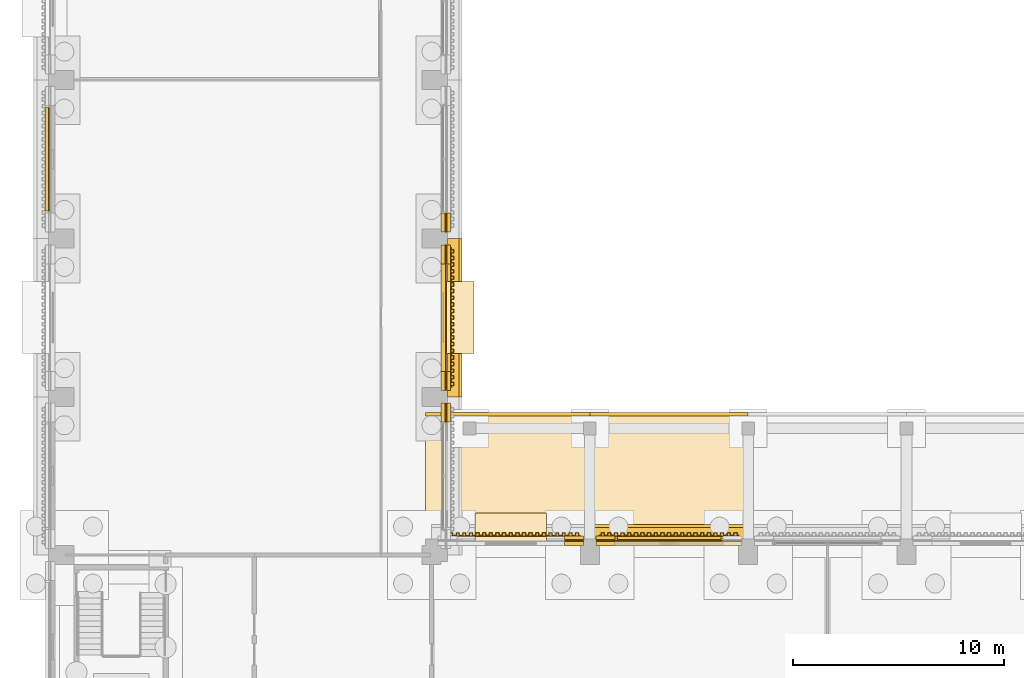
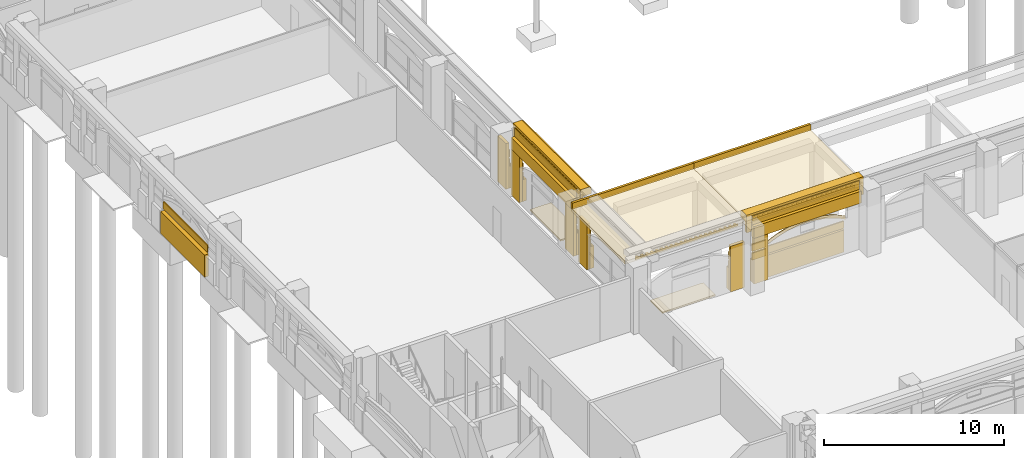
# One storey, part 71 of 99: 42 coverings, 1 element without a shape of its own.
"""IFC4 building model written with IfcOpenShell, lengths in metres."""

from ifc_helpers import new_model, si_unit, direction, frame, origin, place, context, subcontext, project, spatial, polyline, outline, extrude, material, layer, layer_set, type_object, element, aggregate, save


model = new_model("IFC4")

# Units and contexts
model_context = context("Model", 3, precision=1e-05, world=origin(), true_north=direction((0.0, 1.0)))
body_context = subcontext(model_context, "Body", "Model", "MODEL_VIEW")
ifc_project = project(units=[si_unit("LENGTHUNIT", "METRE"), si_unit("AREAUNIT", "SQUARE_METRE"), si_unit("VOLUMEUNIT", "CUBIC_METRE"), si_unit("PLANEANGLEUNIT", "RADIAN"), si_unit("MASSUNIT", "GRAM", prefix="KILO")], contexts=[model_context])

# Site, building, storey
site_placement = place(None, origin())
site = spatial("IfcSite", under=ifc_project, at=site_placement, CompositionType="ELEMENT")
building_placement = place(site_placement, origin())
building = spatial("IfcBuilding", under=site, at=building_placement, Name="Cour d'Honneur Mobility Palace", CompositionType="ELEMENT")
storey_placement = place(building_placement, origin())
storey = spatial("IfcBuildingStorey", under=building, at=storey_placement, Name="L00", CompositionType="ELEMENT", Elevation=0.0)

# Roof, coverings
ifc_material_1 = material(Name="Concrete C50", Category="concrete")
ifc_layer_1 = layer(ifc_material_1, 0.199951171875)
ifc_layer_set_1 = layer_set([ifc_layer_1], Name="Concrete C50")
roof_type = type_object("IfcRoofType", Name="Arcade canopy", PredefinedType="FLAT_ROOF", material=ifc_layer_set_1)
roof_placement = place(storey_placement, origin())
roof = element("IfcRoof", 1, at=roof_placement, inside=storey, type_object=roof_type, Name="Arcade canopy W", PredefinedType="FLAT_ROOF")
ifc_material_2 = material(Name="Concrete C50", Category="concrete")
ifc_layer_2 = layer(ifc_material_2, 0.199951171875)
ifc_layer_set_2 = layer_set([ifc_layer_2], Name="Concrete C50")
covering_type_1 = type_object("IfcCoveringType", Name="Arcade canopy slab 200", PredefinedType="ROOFING", material=ifc_layer_set_2)
covering_1_placement = place(storey_placement, frame((0.0, 0.0, 4.0)))
covering_1 = element("IfcCovering", 2, at=covering_1_placement, type_object=covering_type_1, Name="Arcade canopy slab AS-W1", PredefinedType="ROOFING", context=body_context, shape_type="SweptSolid", body=[
    extrude(outline(polyline([(17.10009765625, 63.14990234375), (24.89990234375, 63.14990234375), (24.89990234375, 69.14990234375), (17.10009765625, 69.14990234375), (17.10009765625, 63.14990234375)])), origin(), (0.0, 0.0, 1.0), 0.199951171875),
])
covering_2_placement = place(storey_placement, frame((0.0, 0.0, 4.0)))
covering_2 = element("IfcCovering", 3, at=covering_2_placement, type_object=covering_type_1, Name="Arcade canopy slab AS-W2", PredefinedType="ROOFING", context=body_context, shape_type="SweptSolid", body=[
    extrude(outline(polyline([(24.89990234375, 63.14990234375), (32.39990234375, 63.14990234375), (32.39990234375, 69.14990234375), (24.89990234375, 69.14990234375), (24.89990234375, 63.14990234375)])), origin(), (0.0, 0.0, 1.0), 0.199951171875),
])
ifc_material_3 = material(Name="Concrete C50", Category="concrete")
ifc_layer_3 = layer(ifc_material_3, 0.14990234375)
ifc_layer_set_3 = layer_set([ifc_layer_3], Name="Concrete C50")
covering_type_2 = type_object("IfcCoveringType", Name="Arcade parapet 400", PredefinedType="CLADDING", material=ifc_layer_set_3)
covering_3_placement = place(storey_placement, frame((0.0, 0.0, 4.199951171875)))
covering_3 = element("IfcCovering", 4, at=covering_3_placement, type_object=covering_type_2, Name="Arcade parapet AP-W1", PredefinedType="CLADDING", context=body_context, shape_type="SweptSolid", body=[
    extrude(outline(polyline([(17.10009765625, 69.0), (24.89990234375, 69.0), (24.89990234375, 69.14990234375), (17.10009765625, 69.14990234375), (17.10009765625, 69.0)])), origin(), (0.0, 0.0, 1.0), 0.400146484375),
])
covering_4_placement = place(storey_placement, frame((0.0, 0.0, 4.199951171875)))
covering_4 = element("IfcCovering", 5, at=covering_4_placement, type_object=covering_type_2, Name="Arcade parapet AP-W2", PredefinedType="CLADDING", context=body_context, shape_type="SweptSolid", body=[
    extrude(outline(polyline([(24.89990234375, 69.0), (32.39990234375, 69.0), (32.39990234375, 69.14990234375), (24.89990234375, 69.14990234375), (24.89990234375, 69.0)])), origin(), (0.0, 0.0, 1.0), 0.400146484375),
])
aggregate(roof, [covering_1, covering_3, covering_2, covering_4])

# Coverings
ifc_material_4 = material(Name="Cast limestone", Category="masonry")
ifc_layer_4 = layer(ifc_material_4, 0.050048828125)
ifc_layer_set_4 = layer_set([ifc_layer_4], Name="Cast limestone")
covering_type_3 = type_object("IfcCoveringType", Name="Arch hood", PredefinedType="CLADDING", material=ifc_layer_set_4)
covering_5_placement = place(storey_placement, frame((31.199951171875, 63.10009765625, 2.179931640625), z_axis=(0.0, 1.0, 0.0), x_axis=(-0.893466628376, 0.0, 0.449129584839)))
element("IfcCovering", 6, at=covering_5_placement, inside=storey, type_object=covering_type_3, Name="Arch hood AH-45", PredefinedType="CLADDING", context=body_context, shape_type="SweptSolid", body=[
    extrude(outline(polyline([(0.0, 0.0), (0.35659251896621735, 0.0), (0.7019994885684498, -0.022795326888668588), (1.036770332748469, -0.0667494093809779), (1.3614544754480467, -0.13022567619190017), (1.6770364335570624, -0.21235277137119013), (1.9834088964060255, -0.3122569988605455), (2.2812274285521696, -0.4297213972129261), (2.570383549271975, -0.5644181841497155), (2.850768777841922, -0.7160195773922962), (3.122709726486599, -0.8849630099968336), (3.38566048142632, -1.0712473119092998), (3.6398380041081246, -1.2755280476869282), (3.8846952106983004, -1.4983499610553759), (4.119465715808033, -1.740694058742436), (4.343818226996622, -2.004306562810686), (4.556548925819088, -2.2904950922125074), (4.655344276390369, -2.0939586097498237), (4.44272322834545, -1.807551948846934), (4.218261066379314, -1.5441575762797524), (3.9834905612695803, -1.3018134785926923), (3.7387430054569535, -1.078773433723176), (3.4844558319976, -0.8747108294466162), (3.221505077057879, -0.68842652753415), (2.949564128413202, -0.5194830949296125), (2.669178899843255, -0.3678817016870317), (2.3800227791234496, -0.2331849147502425), (2.0822042469773057, -0.11572051639786185), (1.7758317841283424, -0.015816288908506504), (1.4603594767968753, 0.06652893777185187), (1.135565683319749, 0.12978707308170578), (0.8007948391397299, 0.17374115557401504), (0.45549752031504603, 0.1967546139637521), (0.09879535057128006, 0.19653648246268365), (0.0, 0.0)])), origin(), (0.0, 0.0, -1.0), 0.050048828125),
])
ifc_material_5 = material(Name="Cast limestone", Category="masonry")
ifc_layer_5 = layer(ifc_material_5, 0.14990234375)
ifc_layer_set_5 = layer_set([ifc_layer_5], Name="Cast limestone")
covering_type_4 = type_object("IfcCoveringType", Name="Dentil course", PredefinedType="CLADDING", material=ifc_layer_set_5)
covering_6_placement = place(storey_placement, frame((0.0, 0.0, 3.949951171875)))
element("IfcCovering", 7, at=covering_6_placement, inside=storey, type_object=covering_type_4, Name="Dentil course DC-53", PredefinedType="CLADDING", context=body_context, shape_type="SweptSolid", body=[
    extrude(outline(polyline([(31.949951171875, 63.300048828125), (25.35009765625, 63.300048828125), (25.35009765625, 63.330078125), (25.35009765625, 63.330078125), (25.428466796875, 63.330078125), (25.428466796875, 63.449951171875), (25.585693359375, 63.449951171875), (25.585693359375, 63.330078125), (25.664306640625, 63.330078125), (25.664306640625, 63.330078125), (25.742919921875, 63.330078125), (25.742919921875, 63.449951171875), (25.89990234375, 63.449951171875), (25.89990234375, 63.330078125), (25.978515625, 63.330078125), (25.978515625, 63.330078125), (26.05712890625, 63.330078125), (26.05712890625, 63.449951171875), (26.21435546875, 63.449951171875), (26.21435546875, 63.330078125), (26.29296875, 63.330078125), (26.29296875, 63.330078125), (26.371337890625, 63.330078125), (26.371337890625, 63.449951171875), (26.528564453125, 63.449951171875), (26.528564453125, 63.330078125), (26.607177734375, 63.330078125), (26.607177734375, 63.330078125), (26.685791015625, 63.330078125), (26.685791015625, 63.449951171875), (26.8427734375, 63.449951171875), (26.8427734375, 63.330078125), (26.92138671875, 63.330078125), (26.92138671875, 63.330078125), (27.0, 63.330078125), (27.0, 63.449951171875), (27.1572265625, 63.449951171875), (27.1572265625, 63.330078125), (27.235595703125, 63.330078125), (27.235595703125, 63.330078125), (27.314208984375, 63.330078125), (27.314208984375, 63.449951171875), (27.471435546875, 63.449951171875), (27.471435546875, 63.330078125), (27.550048828125, 63.330078125), (27.550048828125, 63.330078125), (27.628662109375, 63.330078125), (27.628662109375, 63.449951171875), (27.78564453125, 63.449951171875), (27.78564453125, 63.330078125), (27.8642578125, 63.330078125), (27.8642578125, 63.330078125), (27.94287109375, 63.330078125), (27.94287109375, 63.449951171875), (28.10009765625, 63.449951171875), (28.10009765625, 63.330078125), (28.178466796875, 63.330078125), (28.178466796875, 63.330078125), (28.257080078125, 63.330078125), (28.257080078125, 63.449951171875), (28.414306640625, 63.449951171875), (28.414306640625, 63.330078125), (28.492919921875, 63.330078125), (28.492919921875, 63.330078125), (28.571533203125, 63.330078125), (28.571533203125, 63.449951171875), (28.728515625, 63.449951171875), (28.728515625, 63.330078125), (28.80712890625, 63.330078125), (28.80712890625, 63.330078125), (28.8857421875, 63.330078125), (28.8857421875, 63.449951171875), (29.04296875, 63.449951171875), (29.04296875, 63.330078125), (29.121337890625, 63.330078125), (29.121337890625, 63.330078125), (29.199951171875, 63.330078125), (29.199951171875, 63.449951171875), (29.357177734375, 63.449951171875), (29.357177734375, 63.330078125), (29.435791015625, 63.330078125), (29.435791015625, 63.330078125), (29.514404296875, 63.330078125), (29.514404296875, 63.449951171875), (29.67138671875, 63.449951171875), (29.67138671875, 63.330078125), (29.75, 63.330078125), (29.75, 63.330078125), (29.82861328125, 63.330078125), (29.82861328125, 63.449951171875), (29.985595703125, 63.449951171875), (29.985595703125, 63.330078125), (30.064208984375, 63.330078125), (30.064208984375, 63.330078125), (30.142822265625, 63.330078125), (30.142822265625, 63.449951171875), (30.300048828125, 63.449951171875), (30.300048828125, 63.330078125), (30.378662109375, 63.330078125), (30.378662109375, 63.330078125), (30.45703125, 63.330078125), (30.45703125, 63.449951171875), (30.6142578125, 63.449951171875), (30.6142578125, 63.330078125), (30.69287109375, 63.330078125), (30.69287109375, 63.330078125), (30.771484375, 63.330078125), (30.771484375, 63.449951171875), (30.928466796875, 63.449951171875), (30.928466796875, 63.330078125), (31.007080078125, 63.330078125), (31.007080078125, 63.330078125), (31.085693359375, 63.330078125), (31.085693359375, 63.449951171875), (31.242919921875, 63.449951171875), (31.242919921875, 63.330078125), (31.321533203125, 63.330078125), (31.321533203125, 63.330078125), (31.39990234375, 63.330078125), (31.39990234375, 63.449951171875), (31.55712890625, 63.449951171875), (31.55712890625, 63.330078125), (31.6357421875, 63.330078125), (31.6357421875, 63.330078125), (31.71435546875, 63.330078125), (31.71435546875, 63.449951171875), (31.871337890625, 63.449951171875), (31.871337890625, 63.330078125), (31.949951171875, 63.330078125), (31.949951171875, 63.300048828125)])), origin(), (0.0, 0.0, 1.0), 0.150146484375),
])
covering_7_placement = place(storey_placement, frame((0.0, 0.0, 3.949951171875)))
element("IfcCovering", 8, at=covering_7_placement, inside=storey, type_object=covering_type_4, Name="Dentil course DC-54", PredefinedType="CLADDING", context=body_context, shape_type="SweptSolid", body=[
    extrude(outline(polyline([(24.449951171875, 63.300048828125), (17.85009765625, 63.300048828125), (17.85009765625, 63.330078125), (17.85009765625, 63.330078125), (17.928466796875, 63.330078125), (17.928466796875, 63.449951171875), (18.085693359375, 63.449951171875), (18.085693359375, 63.330078125), (18.164306640625, 63.330078125), (18.164306640625, 63.330078125), (18.242919921875, 63.330078125), (18.242919921875, 63.449951171875), (18.39990234375, 63.449951171875), (18.39990234375, 63.330078125), (18.478515625, 63.330078125), (18.478515625, 63.330078125), (18.55712890625, 63.330078125), (18.55712890625, 63.449951171875), (18.71435546875, 63.449951171875), (18.71435546875, 63.330078125), (18.79296875, 63.330078125), (18.79296875, 63.330078125), (18.871337890625, 63.330078125), (18.871337890625, 63.449951171875), (19.028564453125, 63.449951171875), (19.028564453125, 63.330078125), (19.107177734375, 63.330078125), (19.107177734375, 63.330078125), (19.185791015625, 63.330078125), (19.185791015625, 63.449951171875), (19.3427734375, 63.449951171875), (19.3427734375, 63.330078125), (19.42138671875, 63.330078125), (19.42138671875, 63.330078125), (19.5, 63.330078125), (19.5, 63.449951171875), (19.6572265625, 63.449951171875), (19.6572265625, 63.330078125), (19.735595703125, 63.330078125), (19.735595703125, 63.330078125), (19.814208984375, 63.330078125), (19.814208984375, 63.449951171875), (19.971435546875, 63.449951171875), (19.971435546875, 63.330078125), (20.050048828125, 63.330078125), (20.050048828125, 63.330078125), (20.128662109375, 63.330078125), (20.128662109375, 63.449951171875), (20.28564453125, 63.449951171875), (20.28564453125, 63.330078125), (20.3642578125, 63.330078125), (20.3642578125, 63.330078125), (20.44287109375, 63.330078125), (20.44287109375, 63.449951171875), (20.60009765625, 63.449951171875), (20.60009765625, 63.330078125), (20.678466796875, 63.330078125), (20.678466796875, 63.330078125), (20.757080078125, 63.330078125), (20.757080078125, 63.449951171875), (20.914306640625, 63.449951171875), (20.914306640625, 63.330078125), (20.992919921875, 63.330078125), (20.992919921875, 63.330078125), (21.071533203125, 63.330078125), (21.071533203125, 63.449951171875), (21.228515625, 63.449951171875), (21.228515625, 63.330078125), (21.30712890625, 63.330078125), (21.30712890625, 63.330078125), (21.3857421875, 63.330078125), (21.3857421875, 63.449951171875), (21.54296875, 63.449951171875), (21.54296875, 63.330078125), (21.621337890625, 63.330078125), (21.621337890625, 63.330078125), (21.699951171875, 63.330078125), (21.699951171875, 63.449951171875), (21.857177734375, 63.449951171875), (21.857177734375, 63.330078125), (21.935791015625, 63.330078125), (21.935791015625, 63.330078125), (22.014404296875, 63.330078125), (22.014404296875, 63.449951171875), (22.17138671875, 63.449951171875), (22.17138671875, 63.330078125), (22.25, 63.330078125), (22.25, 63.330078125), (22.32861328125, 63.330078125), (22.32861328125, 63.449951171875), (22.485595703125, 63.449951171875), (22.485595703125, 63.330078125), (22.564208984375, 63.330078125), (22.564208984375, 63.330078125), (22.642822265625, 63.330078125), (22.642822265625, 63.449951171875), (22.800048828125, 63.449951171875), (22.800048828125, 63.330078125), (22.878662109375, 63.330078125), (22.878662109375, 63.330078125), (22.95703125, 63.330078125), (22.95703125, 63.449951171875), (23.1142578125, 63.449951171875), (23.1142578125, 63.330078125), (23.19287109375, 63.330078125), (23.19287109375, 63.330078125), (23.271484375, 63.330078125), (23.271484375, 63.449951171875), (23.428466796875, 63.449951171875), (23.428466796875, 63.330078125), (23.507080078125, 63.330078125), (23.507080078125, 63.330078125), (23.585693359375, 63.330078125), (23.585693359375, 63.449951171875), (23.742919921875, 63.449951171875), (23.742919921875, 63.330078125), (23.821533203125, 63.330078125), (23.821533203125, 63.330078125), (23.89990234375, 63.330078125), (23.89990234375, 63.449951171875), (24.05712890625, 63.449951171875), (24.05712890625, 63.330078125), (24.1357421875, 63.330078125), (24.1357421875, 63.330078125), (24.21435546875, 63.330078125), (24.21435546875, 63.449951171875), (24.371337890625, 63.449951171875), (24.371337890625, 63.330078125), (24.449951171875, 63.330078125), (24.449951171875, 63.300048828125)])), origin(), (0.0, 0.0, 1.0), 0.150146484375),
])
covering_8_placement = place(storey_placement, frame((0.0, 0.0, 3.949951171875)))
element("IfcCovering", 9, at=covering_8_placement, inside=storey, type_object=covering_type_4, Name="Dentil course DC-56", PredefinedType="CLADDING", context=body_context, shape_type="SweptSolid", body=[
    extrude(outline(polyline([(18.300048828125, 70.35009765625), (18.300048828125, 76.949951171875), (18.330078125, 76.949951171875), (18.330078125, 76.949951171875), (18.330078125, 76.871337890625), (18.449951171875, 76.871337890625), (18.449951171875, 76.71435546875), (18.330078125, 76.71435546875), (18.330078125, 76.6357421875), (18.330078125, 76.6357421875), (18.330078125, 76.55712890625), (18.449951171875, 76.55712890625), (18.449951171875, 76.39990234375), (18.330078125, 76.39990234375), (18.330078125, 76.321533203125), (18.330078125, 76.321533203125), (18.330078125, 76.242919921875), (18.449951171875, 76.242919921875), (18.449951171875, 76.085693359375), (18.330078125, 76.085693359375), (18.330078125, 76.007080078125), (18.330078125, 76.007080078125), (18.330078125, 75.928466796875), (18.449951171875, 75.928466796875), (18.449951171875, 75.771484375), (18.330078125, 75.771484375), (18.330078125, 75.69287109375), (18.330078125, 75.69287109375), (18.330078125, 75.6142578125), (18.449951171875, 75.6142578125), (18.449951171875, 75.45703125), (18.330078125, 75.45703125), (18.330078125, 75.378662109375), (18.330078125, 75.378662109375), (18.330078125, 75.300048828125), (18.449951171875, 75.300048828125), (18.449951171875, 75.142822265625), (18.330078125, 75.142822265625), (18.330078125, 75.064208984375), (18.330078125, 75.064208984375), (18.330078125, 74.985595703125), (18.449951171875, 74.985595703125), (18.449951171875, 74.82861328125), (18.330078125, 74.82861328125), (18.330078125, 74.75), (18.330078125, 74.75), (18.330078125, 74.67138671875), (18.449951171875, 74.67138671875), (18.449951171875, 74.514404296875), (18.330078125, 74.514404296875), (18.330078125, 74.435791015625), (18.330078125, 74.435791015625), (18.330078125, 74.357177734375), (18.449951171875, 74.357177734375), (18.449951171875, 74.199951171875), (18.330078125, 74.199951171875), (18.330078125, 74.121337890625), (18.330078125, 74.121337890625), (18.330078125, 74.04296875), (18.449951171875, 74.04296875), (18.449951171875, 73.8857421875), (18.330078125, 73.8857421875), (18.330078125, 73.80712890625), (18.330078125, 73.80712890625), (18.330078125, 73.728515625), (18.449951171875, 73.728515625), (18.449951171875, 73.571533203125), (18.330078125, 73.571533203125), (18.330078125, 73.492919921875), (18.330078125, 73.492919921875), (18.330078125, 73.414306640625), (18.449951171875, 73.414306640625), (18.449951171875, 73.257080078125), (18.330078125, 73.257080078125), (18.330078125, 73.178466796875), (18.330078125, 73.178466796875), (18.330078125, 73.10009765625), (18.449951171875, 73.10009765625), (18.449951171875, 72.94287109375), (18.330078125, 72.94287109375), (18.330078125, 72.8642578125), (18.330078125, 72.8642578125), (18.330078125, 72.78564453125), (18.449951171875, 72.78564453125), (18.449951171875, 72.628662109375), (18.330078125, 72.628662109375), (18.330078125, 72.550048828125), (18.330078125, 72.550048828125), (18.330078125, 72.471435546875), (18.449951171875, 72.471435546875), (18.449951171875, 72.314208984375), (18.330078125, 72.314208984375), (18.330078125, 72.235595703125), (18.330078125, 72.235595703125), (18.330078125, 72.1572265625), (18.449951171875, 72.1572265625), (18.449951171875, 72.0), (18.330078125, 72.0), (18.330078125, 71.92138671875), (18.330078125, 71.92138671875), (18.330078125, 71.8427734375), (18.449951171875, 71.8427734375), (18.449951171875, 71.685791015625), (18.330078125, 71.685791015625), (18.330078125, 71.607177734375), (18.330078125, 71.607177734375), (18.330078125, 71.528564453125), (18.449951171875, 71.528564453125), (18.449951171875, 71.371337890625), (18.330078125, 71.371337890625), (18.330078125, 71.29296875), (18.330078125, 71.29296875), (18.330078125, 71.21435546875), (18.449951171875, 71.21435546875), (18.449951171875, 71.05712890625), (18.330078125, 71.05712890625), (18.330078125, 70.978515625), (18.330078125, 70.978515625), (18.330078125, 70.89990234375), (18.449951171875, 70.89990234375), (18.449951171875, 70.742919921875), (18.330078125, 70.742919921875), (18.330078125, 70.664306640625), (18.330078125, 70.664306640625), (18.330078125, 70.585693359375), (18.449951171875, 70.585693359375), (18.449951171875, 70.428466796875), (18.330078125, 70.428466796875), (18.330078125, 70.35009765625), (18.300048828125, 70.35009765625)])), origin(), (0.0, 0.0, 1.0), 0.150146484375),
])
ifc_material_6 = material(Name="Cast limestone", Category="masonry")
ifc_layer_6 = layer(ifc_material_6, 0.699951171875)
ifc_layer_set_6 = layer_set([ifc_layer_6], Name="Cast limestone")
covering_type_5 = type_object("IfcCoveringType", Name="Entablature", PredefinedType="CLADDING", material=ifc_layer_set_6)
for number, where, z_axis, x_axis, name in (
    (10, (32.39990234375, 63.14990234375, 3.39990234375), (1.0, 0.0, 0.0), (0.0, 1.0, 0.0), "Entablature EN-53"),
    (11, (18.14990234375, 69.89990234375, 3.39990234375), (0.0, -1.0, 0.0), (1.0, 0.0, 0.0), "Entablature EN-56"),
):
    element("IfcCovering", number, at=place(storey_placement, frame(where, z_axis=z_axis, x_axis=x_axis)), inside=storey, type_object=covering_type_5, Name=name, PredefinedType="CLADDING", context=body_context, shape_type="SweptSolid", body=[
        extrude(outline(polyline([(0.0, 0.0), (0.150146484375, 0.0), (0.150146484375, 0.7001953125), (0.7001953125, 0.7001953125), (0.7001953125, 1.10009765625), (0.550048828125, 1.2001953125), (0.0, 1.2001953125), (0.0, 0.0)])), origin(), (0.0, 0.0, -1.0), 7.5),
    ])
ifc_material_7 = material(Name="Granite paving", Category="masonry")
ifc_layer_7 = layer(ifc_material_7, 0.10009765625)
ifc_layer_set_7 = layer_set([ifc_layer_7], Name="Granite paving")
covering_type_6 = type_object("IfcCoveringType", Name="Entrance paving", PredefinedType="FLOORING", material=ifc_layer_set_7)
covering_9_placement = place(storey_placement, frame((0.0, 0.0, -0.10009765625)))
element("IfcCovering", 12, at=covering_9_placement, inside=storey, type_object=covering_type_6, Name="Entrance paving PV-24", PredefinedType="FLOORING", context=body_context, shape_type="SweptSolid", body=[
    extrude(outline(polyline([(22.85009765625, 63.050048828125), (19.449951171875, 63.050048828125), (19.449951171875, 64.39990234375), (22.85009765625, 64.39990234375), (22.85009765625, 63.050048828125)])), origin(), (0.0, 0.0, 1.0), 0.10009765625),
])
covering_10_placement = place(storey_placement, frame((0.0, 0.0, -0.10009765625)))
element("IfcCovering", 13, at=covering_10_placement, inside=storey, type_object=covering_type_6, Name="Entrance paving PV-25", PredefinedType="FLOORING", context=body_context, shape_type="SweptSolid", body=[
    extrude(outline(polyline([(18.050048828125, 71.949951171875), (18.050048828125, 75.35009765625), (19.39990234375, 75.35009765625), (19.39990234375, 71.949951171875), (18.050048828125, 71.949951171875)])), origin(), (0.0, 0.0, 1.0), 0.10009765625),
])
ifc_material_8 = material(Name="Cast limestone", Category="masonry")
ifc_layer_8 = layer(ifc_material_8, 0.25)
ifc_layer_set_8 = layer_set([ifc_layer_8], Name="Cast limestone")
covering_type_7 = type_object("IfcCoveringType", Name="Plinth course", PredefinedType="CLADDING", material=ifc_layer_set_8)
covering_11_placement = place(storey_placement, origin())
element("IfcCovering", 14, at=covering_11_placement, inside=storey, type_object=covering_type_7, Name="Plinth course PI-170", PredefinedType="CLADDING", context=body_context, shape_type="SweptSolid", body=[
    extrude(outline(polyline([(26.10009765625, 63.050048828125), (25.199951171875, 63.050048828125), (25.199951171875, 63.300048828125), (26.10009765625, 63.300048828125), (26.10009765625, 63.050048828125)])), origin(), (0.0, 0.0, 1.0), 1.5),
])
covering_12_placement = place(storey_placement, origin())
element("IfcCovering", 15, at=covering_12_placement, inside=storey, type_object=covering_type_7, Name="Plinth course PI-171", PredefinedType="CLADDING", context=body_context, shape_type="SweptSolid", body=[
    extrude(outline(polyline([(31.10009765625, 63.050048828125), (26.199951171875, 63.050048828125), (26.199951171875, 63.300048828125), (31.10009765625, 63.300048828125), (31.10009765625, 63.050048828125)])), origin(), (0.0, 0.0, 1.0), 1.5),
])
covering_13_placement = place(storey_placement, origin())
element("IfcCovering", 16, at=covering_13_placement, inside=storey, type_object=covering_type_7, Name="Plinth course PI-172", PredefinedType="CLADDING", context=body_context, shape_type="SweptSolid", body=[
    extrude(outline(polyline([(24.60009765625, 63.050048828125), (23.699951171875, 63.050048828125), (23.699951171875, 63.300048828125), (24.60009765625, 63.300048828125), (24.60009765625, 63.050048828125)])), origin(), (0.0, 0.0, 1.0), 1.5),
])
covering_14_placement = place(storey_placement, origin())
element("IfcCovering", 17, at=covering_14_placement, inside=storey, type_object=covering_type_7, Name="Plinth course PI-175", PredefinedType="CLADDING", context=body_context, shape_type="SweptSolid", body=[
    extrude(outline(polyline([(18.050048828125, 68.699951171875), (18.050048828125, 69.60009765625), (18.300048828125, 69.60009765625), (18.300048828125, 68.699951171875), (18.050048828125, 68.699951171875)])), origin(), (0.0, 0.0, 1.0), 1.5),
])
covering_15_placement = place(storey_placement, origin())
element("IfcCovering", 18, at=covering_15_placement, inside=storey, type_object=covering_type_7, Name="Plinth course PI-176", PredefinedType="CLADDING", context=body_context, shape_type="SweptSolid", body=[
    extrude(outline(polyline([(18.050048828125, 70.199951171875), (18.050048828125, 71.10009765625), (18.300048828125, 71.10009765625), (18.300048828125, 70.199951171875), (18.050048828125, 70.199951171875)])), origin(), (0.0, 0.0, 1.0), 1.5),
])
covering_16_placement = place(storey_placement, origin())
element("IfcCovering", 19, at=covering_16_placement, inside=storey, type_object=covering_type_7, Name="Plinth course PI-177", PredefinedType="CLADDING", context=body_context, shape_type="SweptSolid", body=[
    extrude(outline(polyline([(18.050048828125, 76.199951171875), (18.050048828125, 77.10009765625), (18.300048828125, 77.10009765625), (18.300048828125, 76.199951171875), (18.050048828125, 76.199951171875)])), origin(), (0.0, 0.0, 1.0), 1.5),
])
covering_17_placement = place(storey_placement, origin())
element("IfcCovering", 20, at=covering_17_placement, inside=storey, type_object=covering_type_7, Name="Plinth course PI-178", PredefinedType="CLADDING", context=body_context, shape_type="SweptSolid", body=[
    extrude(outline(polyline([(18.050048828125, 77.699951171875), (18.050048828125, 78.60009765625), (18.300048828125, 78.60009765625), (18.300048828125, 77.699951171875), (18.050048828125, 77.699951171875)])), origin(), (0.0, 0.0, 1.0), 1.5),
])
covering_18_placement = place(storey_placement, origin())
element("IfcCovering", 21, at=covering_18_placement, inside=storey, type_object=covering_type_7, Name="Plinth course PI-202", PredefinedType="CLADDING", context=body_context, shape_type="SweptSolid", body=[
    extrude(outline(polyline([(-0.64990234375, 83.60009765625), (-0.64990234375, 78.699951171875), (-0.89990234375, 78.699951171875), (-0.89990234375, 83.60009765625), (-0.64990234375, 83.60009765625)])), origin(), (0.0, 0.0, 1.0), 1.5),
])
ifc_material_9 = material(Name="Cast limestone", Category="masonry")
ifc_layer_9 = layer(ifc_material_9, 0.199951171875)
ifc_layer_set_9 = layer_set([ifc_layer_9], Name="Cast limestone")
covering_type_8 = type_object("IfcCoveringType", Name="Rusticated jamb panel", PredefinedType="CLADDING", material=ifc_layer_set_9)
for number, where, z_axis, x_axis, name in (
    (22, (26.10009765625, 63.050048828125, 0.0), (0.0, 1.0, 0.0), (-1.0, 0.0, 0.0), "Rusticated jamb panel RP-143"),
    (23, (24.60009765625, 63.050048828125, 0.0), (0.0, 1.0, 0.0), (-1.0, 0.0, 0.0), "Rusticated jamb panel RP-144"),
    (24, (18.050048828125, 68.699951171875, 0.0), (1.0, 0.0, 0.0), (0.0, 1.0, 0.0), "Rusticated jamb panel RP-147"),
    (25, (18.050048828125, 70.199951171875, 0.0), (1.0, 0.0, 0.0), (0.0, 1.0, 0.0), "Rusticated jamb panel RP-148"),
    (26, (18.050048828125, 76.199951171875, 0.0), (1.0, 0.0, 0.0), (0.0, 1.0, 0.0), "Rusticated jamb panel RP-149"),
    (27, (18.050048828125, 77.699951171875, 0.0), (1.0, 0.0, 0.0), (0.0, 1.0, 0.0), "Rusticated jamb panel RP-150"),
):
    element("IfcCovering", number, at=place(storey_placement, frame(where, z_axis=z_axis, x_axis=x_axis)), inside=storey, type_object=covering_type_8, Name=name, PredefinedType="CLADDING", context=body_context, shape_type="SweptSolid", body=[
        extrude(outline(polyline([(0.0, 0.0), (0.900146484375, 0.0), (0.900146484375, 3.10009765625), (0.0, 3.10009765625), (0.0, 0.0)])), origin(), (0.0, 0.0, -1.0), 0.199951171875),
    ])
ifc_material_10 = material(Name="Cast limestone", Category="masonry")
ifc_layer_10 = layer(ifc_material_10, 0.080078125)
ifc_layer_set_10 = layer_set([ifc_layer_10], Name="Cast limestone")
covering_type_9 = type_object("IfcCoveringType", Name="Rustication course", PredefinedType="CLADDING", material=ifc_layer_set_10)
for number, where, name in (
    (28, (0.0, 0.0, 1.5), "Rustication course RC-305"),
    (29, (0.0, 0.0, 2.10009765625), "Rustication course RC-306"),
):
    element("IfcCovering", number, at=place(storey_placement, frame(where)), inside=storey, type_object=covering_type_9, Name=name, PredefinedType="CLADDING", context=body_context, shape_type="SweptSolid", body=[
        extrude(outline(polyline([(26.10009765625, 63.050048828125), (25.199951171875, 63.050048828125), (25.199951171875, 63.1298828125), (26.10009765625, 63.1298828125), (26.10009765625, 63.050048828125)])), origin(), (0.0, 0.0, 1.0), 0.47998046875),
    ])
covering_19_placement = place(storey_placement, frame((0.0, 0.0, 1.6201171875)))
element("IfcCovering", 30, at=covering_19_placement, inside=storey, type_object=covering_type_9, Name="Rustication course RC-307", PredefinedType="CLADDING", context=body_context, shape_type="SweptSolid", body=[
    extrude(outline(polyline([(31.10009765625, 63.050048828125), (26.199951171875, 63.050048828125), (26.199951171875, 63.1298828125), (31.10009765625, 63.1298828125), (31.10009765625, 63.050048828125)])), origin(), (0.0, 0.0, 1.0), 0.47998046875),
])
for number, where, name in (
    (31, (0.0, 0.0, 1.5), "Rustication course RC-308"),
    (32, (0.0, 0.0, 2.10009765625), "Rustication course RC-309"),
):
    element("IfcCovering", number, at=place(storey_placement, frame(where)), inside=storey, type_object=covering_type_9, Name=name, PredefinedType="CLADDING", context=body_context, shape_type="SweptSolid", body=[
        extrude(outline(polyline([(24.60009765625, 63.050048828125), (23.699951171875, 63.050048828125), (23.699951171875, 63.1298828125), (24.60009765625, 63.1298828125), (24.60009765625, 63.050048828125)])), origin(), (0.0, 0.0, 1.0), 0.47998046875),
    ])
for number, where, name in (
    (33, (0.0, 0.0, 1.5), "Rustication course RC-314"),
    (34, (0.0, 0.0, 2.10009765625), "Rustication course RC-315"),
):
    element("IfcCovering", number, at=place(storey_placement, frame(where)), inside=storey, type_object=covering_type_9, Name=name, PredefinedType="CLADDING", context=body_context, shape_type="SweptSolid", body=[
        extrude(outline(polyline([(18.050048828125, 68.699951171875), (18.050048828125, 69.60009765625), (18.1298828125, 69.60009765625), (18.1298828125, 68.699951171875), (18.050048828125, 68.699951171875)])), origin(), (0.0, 0.0, 1.0), 0.47998046875),
    ])
for number, where, name in (
    (35, (0.0, 0.0, 1.5), "Rustication course RC-316"),
    (36, (0.0, 0.0, 2.10009765625), "Rustication course RC-317"),
):
    element("IfcCovering", number, at=place(storey_placement, frame(where)), inside=storey, type_object=covering_type_9, Name=name, PredefinedType="CLADDING", context=body_context, shape_type="SweptSolid", body=[
        extrude(outline(polyline([(18.050048828125, 70.199951171875), (18.050048828125, 71.10009765625), (18.1298828125, 71.10009765625), (18.1298828125, 70.199951171875), (18.050048828125, 70.199951171875)])), origin(), (0.0, 0.0, 1.0), 0.47998046875),
    ])
for number, where, name in (
    (37, (0.0, 0.0, 1.5), "Rustication course RC-318"),
    (38, (0.0, 0.0, 2.10009765625), "Rustication course RC-319"),
):
    element("IfcCovering", number, at=place(storey_placement, frame(where)), inside=storey, type_object=covering_type_9, Name=name, PredefinedType="CLADDING", context=body_context, shape_type="SweptSolid", body=[
        extrude(outline(polyline([(18.050048828125, 76.199951171875), (18.050048828125, 77.10009765625), (18.1298828125, 77.10009765625), (18.1298828125, 76.199951171875), (18.050048828125, 76.199951171875)])), origin(), (0.0, 0.0, 1.0), 0.47998046875),
    ])
for number, where, name in (
    (39, (0.0, 0.0, 1.5), "Rustication course RC-320"),
    (40, (0.0, 0.0, 2.10009765625), "Rustication course RC-321"),
):
    element("IfcCovering", number, at=place(storey_placement, frame(where)), inside=storey, type_object=covering_type_9, Name=name, PredefinedType="CLADDING", context=body_context, shape_type="SweptSolid", body=[
        extrude(outline(polyline([(18.050048828125, 77.699951171875), (18.050048828125, 78.60009765625), (18.1298828125, 78.60009765625), (18.1298828125, 77.699951171875), (18.050048828125, 77.699951171875)])), origin(), (0.0, 0.0, 1.0), 0.47998046875),
    ])
covering_20_placement = place(storey_placement, frame((0.0, 0.0, 1.6201171875)))
element("IfcCovering", 41, at=covering_20_placement, inside=storey, type_object=covering_type_9, Name="Rustication course RC-373", PredefinedType="CLADDING", context=body_context, shape_type="SweptSolid", body=[
    extrude(outline(polyline([(-0.64990234375, 83.60009765625), (-0.64990234375, 78.699951171875), (-0.72998046875, 78.699951171875), (-0.72998046875, 83.60009765625), (-0.64990234375, 83.60009765625)])), origin(), (0.0, 0.0, 1.0), 0.47998046875),
])
ifc_material_11 = material(Name="Cast limestone", Category="masonry")
ifc_layer_11 = layer(ifc_material_11, 0.25)
ifc_layer_set_11 = layer_set([ifc_layer_11], Name="Cast limestone")
covering_type_10 = type_object("IfcCoveringType", Name="Spandrel cladding", PredefinedType="CLADDING", material=ifc_layer_set_11)
for number, where, z_axis, x_axis, name in (
    (42, (32.10009765625, 62.85009765625, 3.10009765625), (1.0, 0.0, 0.0), (0.0, 1.0, 0.0), "Spandrel cladding SK-53"),
    (43, (17.85009765625, 70.199951171875, 3.10009765625), (0.0, -1.0, 0.0), (1.0, 0.0, 0.0), "Spandrel cladding SK-56"),
):
    element("IfcCovering", number, at=place(storey_placement, frame(where, z_axis=z_axis, x_axis=x_axis)), inside=storey, type_object=covering_type_10, Name=name, PredefinedType="CLADDING", context=body_context, shape_type="SweptSolid", body=[
        extrude(outline(polyline([(0.0, 0.0), (0.25, 0.0), (0.25, 1.39990234375), (0.199951171875, 1.39990234375), (0.199951171875, 0.7998046875), (0.0, 0.7998046875), (0.0, 0.0)])), origin(), (0.0, 0.0, -1.0), 6.89990234375),
    ])

save(model, "model.ifc")
